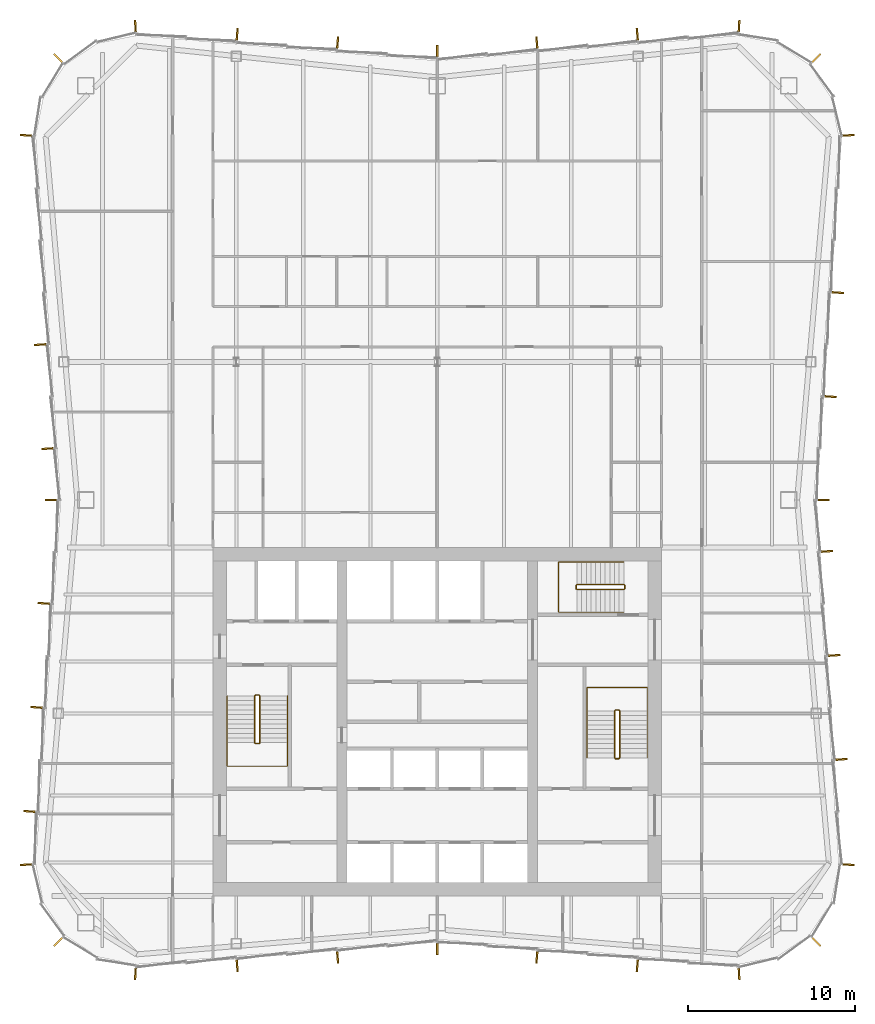
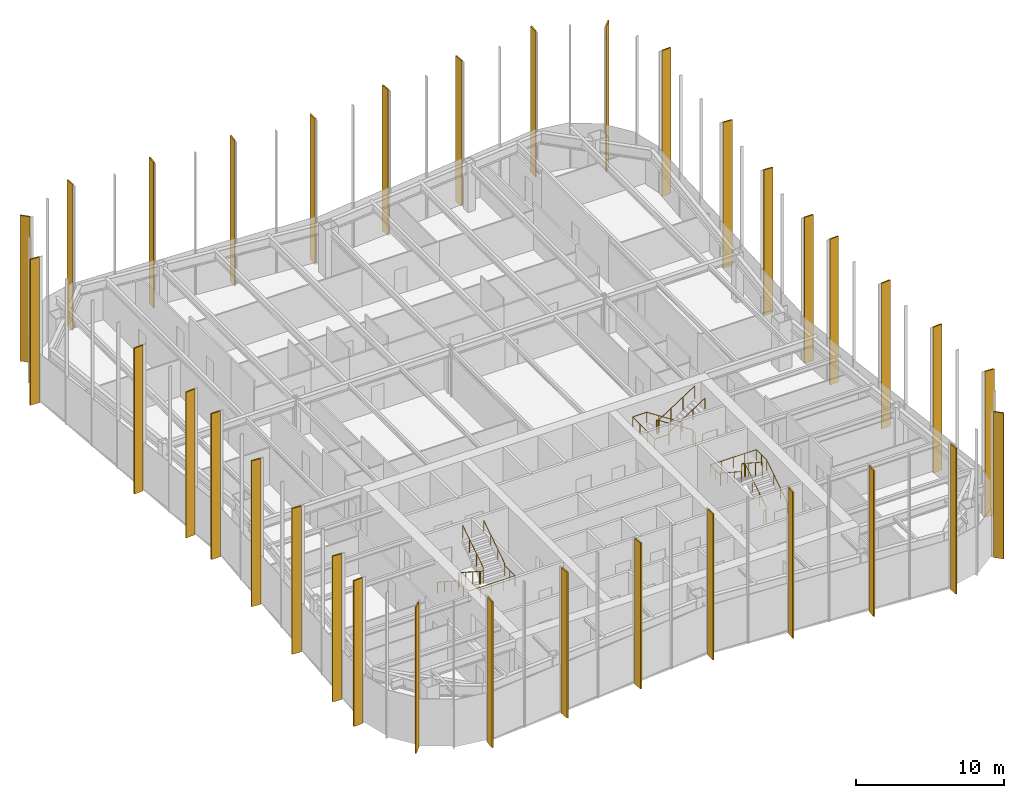
# One storey, part 15 of 15: 34 shading devices, 6 railings.
"""IFC4 building model written with IfcOpenShell, lengths in metres."""

from ifc_helpers import new_model, si_unit, direction, frame, origin, origin_2d, place, context, subcontext, project, spatial, rectangle, circle, extrude, material, layer, layer_set, type_object, element, save


model = new_model("IFC4")

# Units and contexts
model_context = context("Model", 3, precision=1e-05, world=origin(), true_north=direction((0.0, 1.0)))
body_context = subcontext(model_context, "Body", "Model", "MODEL_VIEW")
ifc_project = project(units=[si_unit("LENGTHUNIT", "METRE"), si_unit("AREAUNIT", "SQUARE_METRE"), si_unit("VOLUMEUNIT", "CUBIC_METRE"), si_unit("PLANEANGLEUNIT", "RADIAN"), si_unit("MASSUNIT", "GRAM", prefix="KILO")], contexts=[model_context])

# Site, building, storey
site_placement = place(None, origin())
site = spatial("IfcSite", under=ifc_project, at=site_placement, CompositionType="ELEMENT")
building_placement = place(site_placement, origin())
building = spatial("IfcBuilding", under=site, at=building_placement, Name="Verdant Reach Tower", CompositionType="ELEMENT")
storey_placement = place(building_placement, frame((0.0, 0.0, 238.0)))
storey = spatial("IfcBuildingStorey", under=building, at=storey_placement, Name="L54", CompositionType="ELEMENT", Elevation=238.0)

# Railings
ifc_material_1 = material(Name="Stainless steel", Category="steel")
railing_type_1 = type_object("IfcRailingType", Name="CO-GUARD", PredefinedType="GUARDRAIL", material=ifc_material_1)
railing_1_placement = place(storey_placement, frame((-10.64990234375, 29.60009765625, 0.0)))
element("IfcRailing", 1, at=railing_1_placement, inside=storey, type_object=railing_type_1, Name="L54 ST-1 stair guard 1", PredefinedType="GUARDRAIL", context=body_context, shape_type="SweptSolid", body=[
    extrude(circle(Radius=0.02392578125, at=origin_2d()), frame((0.0, 0.0, 1.076171875), z_axis=(-1.0, 0.0, 0.0), x_axis=(0.0, -1.0, 0.0)), (0.0, 0.0, 1.0), 0.2001953125),
    extrude(circle(Radius=0.02392578125, at=origin_2d()), frame((-0.2001953125, 0.0, 1.076171875), z_axis=(-0.25526617399, -0.256517478764, 0.932222056972), x_axis=(0.708833529934, -0.705375805398, 0.0)), (0.0, 0.0, 1.0), 0.195068359375),
    extrude(circle(Radius=0.02392578125, at=origin_2d()), frame((-0.25, -0.050048828125, 1.2578125), z_axis=(0.0, -0.838705829183, 0.544584733623), x_axis=(1.0, 0.0, 0.0)), (0.0, 0.0, 1.0), 3.338623046875),
    extrude(circle(Radius=0.02392578125, at=origin_2d()), frame((-0.25, -2.85009765625, 3.076171875), z_axis=(0.705375805398, -0.708833529934, 0.0), x_axis=(0.708833529934, 0.705375805398, 0.0)), (0.0, 0.0, 1.0), 0.070556640625),
    extrude(circle(Radius=0.02392578125, at=origin_2d()), frame((-0.2001953125, -2.900146484375, 3.076171875), z_axis=(1.0, 0.0, 0.0), x_axis=(0.0, 1.0, 0.0)), (0.0, 0.0, 1.0), 0.2001953125),
    extrude(circle(Radius=0.02392578125, at=origin_2d()), frame((0.0, -2.900146484375, 3.076171875), z_axis=(0.25526617399, 0.256517478764, 0.932222056972), x_axis=(-0.708833529934, 0.705375805398, 0.0)), (0.0, 0.0, 1.0), 0.195068359375),
    extrude(circle(Radius=0.02392578125, at=origin_2d()), frame((0.0498046875, -2.85009765625, 3.2578125), z_axis=(0.0, 0.838705829183, 0.544584733623), x_axis=(-1.0, 0.0, 0.0)), (0.0, 0.0, 1.0), 3.338623046875),
    extrude(circle(Radius=0.02099609375, at=origin_2d()), origin(), (0.0, 0.0, 1.0), 1.052001953125),
    extrude(circle(Radius=0.02099609375, at=origin_2d()), frame((-0.2001953125, 0.0, 0.0)), (0.0, 0.0, 1.0), 1.052001953125),
    extrude(circle(Radius=0.02099609375, at=origin_2d()), frame((-0.25, -0.050048828125, 0.181884765625)), (0.0, 0.0, 1.0), 1.052001953125),
    extrude(circle(Radius=0.02099609375, at=origin_2d()), frame((-0.25, -0.9833984375, 0.787841796875)), (0.0, 0.0, 1.0), 1.052001953125),
    extrude(circle(Radius=0.02099609375, at=origin_2d()), frame((-0.25, -1.916748046875, 1.39404296875)), (0.0, 0.0, 1.0), 1.052001953125),
    extrude(circle(Radius=0.02099609375, at=origin_2d()), frame((-0.25, -2.85009765625, 2.0)), (0.0, 0.0, 1.0), 1.052001953125),
    extrude(circle(Radius=0.02099609375, at=origin_2d()), frame((-0.2001953125, -2.900146484375, 2.0)), (0.0, 0.0, 1.0), 1.052001953125),
    extrude(circle(Radius=0.02099609375, at=origin_2d()), frame((0.0, -2.900146484375, 2.0)), (0.0, 0.0, 1.0), 1.052001953125),
    extrude(circle(Radius=0.02099609375, at=origin_2d()), frame((0.0498046875, -2.85009765625, 2.181884765625)), (0.0, 0.0, 1.0), 1.052001953125),
    extrude(circle(Radius=0.02099609375, at=origin_2d()), frame((0.0498046875, -1.916748046875, 2.787841796875)), (0.0, 0.0, 1.0), 1.052001953125),
    extrude(circle(Radius=0.02099609375, at=origin_2d()), frame((0.0498046875, -0.9833984375, 3.39404296875)), (0.0, 0.0, 1.0), 1.052001953125),
    extrude(circle(Radius=0.02099609375, at=origin_2d()), frame((0.0498046875, -0.050048828125, 4.0)), (0.0, 0.0, 1.0), 1.052001953125),
])
railing_2_placement = place(storey_placement, frame((10.64990234375, 25.800048828125, 0.0)))
element("IfcRailing", 2, at=railing_2_placement, inside=storey, type_object=railing_type_1, Name="L54 ST-2 stair guard 1", PredefinedType="GUARDRAIL", context=body_context, shape_type="SweptSolid", body=[
    extrude(circle(Radius=0.02392578125, at=origin_2d()), frame((0.0, 0.0, 1.076171875), z_axis=(1.0, 0.0, 0.0), x_axis=(0.0, 1.0, 0.0)), (0.0, 0.0, 1.0), 0.2001953125),
    extrude(circle(Radius=0.02392578125, at=origin_2d()), frame((0.2001953125, 0.0, 1.076171875), z_axis=(0.25526617399, 0.256517478764, 0.932222056972), x_axis=(-0.708833529934, 0.705375805398, 0.0)), (0.0, 0.0, 1.0), 0.195068359375),
    extrude(circle(Radius=0.02392578125, at=origin_2d()), frame((0.25, 0.050048828125, 1.2578125), z_axis=(0.0, 0.83868413941, 0.544618136222), x_axis=(-1.0, 0.0, 0.0)), (0.0, 0.0, 1.0), 3.33837890625),
    extrude(circle(Radius=0.02392578125, at=origin_2d()), frame((0.25, 2.849853515625, 3.076171875), z_axis=(-0.705375805398, 0.708833529934, 0.0), x_axis=(-0.708833529934, -0.705375805398, 0.0)), (0.0, 0.0, 1.0), 0.070556640625),
    extrude(circle(Radius=0.02392578125, at=origin_2d()), frame((0.2001953125, 2.89990234375, 3.076171875), z_axis=(-1.0, 0.0, 0.0), x_axis=(0.0, -1.0, 0.0)), (0.0, 0.0, 1.0), 0.2001953125),
    extrude(circle(Radius=0.02392578125, at=origin_2d()), frame((0.0, 2.89990234375, 3.076171875), z_axis=(-0.25526617399, -0.256517478764, 0.932222056972), x_axis=(0.708833529934, -0.705375805398, 0.0)), (0.0, 0.0, 1.0), 0.195068359375),
    extrude(circle(Radius=0.02392578125, at=origin_2d()), frame((-0.0498046875, 2.849853515625, 3.2578125), z_axis=(0.0, -0.83868413941, 0.544618136222), x_axis=(1.0, 0.0, 0.0)), (0.0, 0.0, 1.0), 3.33837890625),
    extrude(circle(Radius=0.02099609375, at=origin_2d()), origin(), (0.0, 0.0, 1.0), 1.052001953125),
    extrude(circle(Radius=0.02099609375, at=origin_2d()), frame((0.2001953125, 0.0, 0.0)), (0.0, 0.0, 1.0), 1.052001953125),
    extrude(circle(Radius=0.02099609375, at=origin_2d()), frame((0.25, 0.050048828125, 0.181884765625)), (0.0, 0.0, 1.0), 1.052001953125),
    extrude(circle(Radius=0.02099609375, at=origin_2d()), frame((0.25, 0.9833984375, 0.787841796875)), (0.0, 0.0, 1.0), 1.052001953125),
    extrude(circle(Radius=0.02099609375, at=origin_2d()), frame((0.25, 1.91650390625, 1.39404296875)), (0.0, 0.0, 1.0), 1.052001953125),
    extrude(circle(Radius=0.02099609375, at=origin_2d()), frame((0.25, 2.849853515625, 2.0)), (0.0, 0.0, 1.0), 1.052001953125),
    extrude(circle(Radius=0.02099609375, at=origin_2d()), frame((0.2001953125, 2.89990234375, 2.0)), (0.0, 0.0, 1.0), 1.052001953125),
    extrude(circle(Radius=0.02099609375, at=origin_2d()), frame((0.0, 2.89990234375, 2.0)), (0.0, 0.0, 1.0), 1.052001953125),
    extrude(circle(Radius=0.02099609375, at=origin_2d()), frame((-0.0498046875, 2.849853515625, 2.181884765625)), (0.0, 0.0, 1.0), 1.052001953125),
    extrude(circle(Radius=0.02099609375, at=origin_2d()), frame((-0.0498046875, 1.91650390625, 2.787841796875)), (0.0, 0.0, 1.0), 1.052001953125),
    extrude(circle(Radius=0.02099609375, at=origin_2d()), frame((-0.0498046875, 0.9833984375, 3.39404296875)), (0.0, 0.0, 1.0), 1.052001953125),
    extrude(circle(Radius=0.02099609375, at=origin_2d()), frame((-0.0498046875, 0.050048828125, 4.0)), (0.0, 0.0, 1.0), 1.052001953125),
])
railing_3_placement = place(storey_placement, frame((11.199951171875, 35.949951171875, 0.0)))
element("IfcRailing", 3, at=railing_3_placement, inside=storey, type_object=railing_type_1, Name="L54 ST-3 stair guard 1", PredefinedType="GUARDRAIL", context=body_context, shape_type="SweptSolid", body=[
    extrude(circle(Radius=0.02392578125, at=origin_2d()), frame((0.0, 0.0, 1.076171875), z_axis=(0.0, 1.0, 0.0), x_axis=(-1.0, 0.0, 0.0)), (0.0, 0.0, 1.0), 0.199951171875),
    extrude(circle(Radius=0.02392578125, at=origin_2d()), frame((0.0, 0.199951171875, 1.076171875), z_axis=(-0.256435381639, 0.256435381639, 0.931923704005), x_axis=(-0.707106781187, -0.707106781187, 0.0)), (0.0, 0.0, 1.0), 0.195068359375),
    extrude(circle(Radius=0.02392578125, at=origin_2d()), frame((-0.050048828125, 0.25, 1.2578125), z_axis=(-0.83868413941, 0.0, 0.544618136222), x_axis=(0.0, -1.0, 0.0)), (0.0, 0.0, 1.0), 3.33837890625),
    extrude(circle(Radius=0.02392578125, at=origin_2d()), frame((-2.849853515625, 0.25, 3.076171875), z_axis=(-0.707106781187, -0.707106781187, 0.0), x_axis=(0.707106781187, -0.707106781187, 0.0)), (0.0, 0.0, 1.0), 0.07080078125),
    extrude(circle(Radius=0.02392578125, at=origin_2d()), frame((-2.89990234375, 0.199951171875, 3.076171875), z_axis=(0.0, -1.0, 0.0), x_axis=(1.0, 0.0, 0.0)), (0.0, 0.0, 1.0), 0.199951171875),
    extrude(circle(Radius=0.02392578125, at=origin_2d()), frame((-2.89990234375, 0.0, 3.076171875), z_axis=(0.256435381639, -0.256435381639, 0.931923704005), x_axis=(0.707106781187, 0.707106781187, 0.0)), (0.0, 0.0, 1.0), 0.195068359375),
    extrude(circle(Radius=0.02392578125, at=origin_2d()), frame((-2.849853515625, -0.050048828125, 3.2578125), z_axis=(0.83868413941, 0.0, 0.544618136222), x_axis=(0.0, 1.0, 0.0)), (0.0, 0.0, 1.0), 3.33837890625),
    extrude(circle(Radius=0.02099609375, at=origin_2d()), origin(), (0.0, 0.0, 1.0), 1.052001953125),
    extrude(circle(Radius=0.02099609375, at=origin_2d()), frame((0.0, 0.199951171875, 0.0)), (0.0, 0.0, 1.0), 1.052001953125),
    extrude(circle(Radius=0.02099609375, at=origin_2d()), frame((-0.050048828125, 0.25, 0.181884765625)), (0.0, 0.0, 1.0), 1.052001953125),
    extrude(circle(Radius=0.02099609375, at=origin_2d()), frame((-0.9833984375, 0.25, 0.787841796875)), (0.0, 0.0, 1.0), 1.052001953125),
    extrude(circle(Radius=0.02099609375, at=origin_2d()), frame((-1.91650390625, 0.25, 1.39404296875)), (0.0, 0.0, 1.0), 1.052001953125),
    extrude(circle(Radius=0.02099609375, at=origin_2d()), frame((-2.849853515625, 0.25, 2.0)), (0.0, 0.0, 1.0), 1.052001953125),
    extrude(circle(Radius=0.02099609375, at=origin_2d()), frame((-2.89990234375, 0.199951171875, 2.0)), (0.0, 0.0, 1.0), 1.052001953125),
    extrude(circle(Radius=0.02099609375, at=origin_2d()), frame((-2.89990234375, 0.0, 2.0)), (0.0, 0.0, 1.0), 1.052001953125),
    extrude(circle(Radius=0.02099609375, at=origin_2d()), frame((-2.849853515625, -0.050048828125, 2.181884765625)), (0.0, 0.0, 1.0), 1.052001953125),
    extrude(circle(Radius=0.02099609375, at=origin_2d()), frame((-1.91650390625, -0.050048828125, 2.787841796875)), (0.0, 0.0, 1.0), 1.052001953125),
    extrude(circle(Radius=0.02099609375, at=origin_2d()), frame((-0.9833984375, -0.050048828125, 3.39404296875)), (0.0, 0.0, 1.0), 1.052001953125),
    extrude(circle(Radius=0.02099609375, at=origin_2d()), frame((-0.050048828125, -0.050048828125, 4.0)), (0.0, 0.0, 1.0), 1.052001953125),
])
railing_type_2 = type_object("IfcRailingType", Name="CO-HANDRAIL", PredefinedType="HANDRAIL", material=ifc_material_1)
railing_4_placement = place(storey_placement, frame((-12.550048828125, 29.550048828125, 0.181884765625)))
element("IfcRailing", 4, at=railing_4_placement, inside=storey, type_object=railing_type_2, Name="L54 ST-1 stair handrail 1", PredefinedType="HANDRAIL", context=body_context, shape_type="SweptSolid", body=[
    extrude(circle(Radius=0.02392578125, at=origin_2d()), frame((0.0, 0.0, 0.8759765625), z_axis=(0.0, -0.838705829183, 0.544584733623), x_axis=(1.0, 0.0, 0.0)), (0.0, 0.0, 1.0), 3.338623046875),
    extrude(circle(Radius=0.02392578125, at=origin_2d()), frame((0.0, -2.800048828125, 2.69384765625), z_axis=(0.0, -1.0, 0.0), x_axis=(1.0, 0.0, 0.0)), (0.0, 0.0, 1.0), 1.39990234375),
    extrude(circle(Radius=0.02392578125, at=origin_2d()), frame((0.0, -4.199951171875, 2.69384765625), z_axis=(1.0, 0.0, 0.0), x_axis=(0.0, 1.0, 0.0)), (0.0, 0.0, 1.0), 3.60009765625),
    extrude(circle(Radius=0.02392578125, at=origin_2d()), frame((3.60009765625, -4.199951171875, 2.69384765625), z_axis=(0.0, 1.0, 0.0), x_axis=(-1.0, 0.0, 0.0)), (0.0, 0.0, 1.0), 1.39990234375),
    extrude(circle(Radius=0.02392578125, at=origin_2d()), frame((3.60009765625, -2.800048828125, 2.69384765625), z_axis=(0.0, 0.0, 1.0), x_axis=(1.0, 0.0, 0.0)), (0.0, 0.0, 1.0), 0.181884765625),
    extrude(circle(Radius=0.02392578125, at=origin_2d()), frame((3.60009765625, -2.800048828125, 2.8759765625), z_axis=(0.0, 0.838705829183, 0.544584733623), x_axis=(-1.0, 0.0, 0.0)), (0.0, 0.0, 1.0), 3.338623046875),
    extrude(circle(Radius=0.02099609375, at=origin_2d()), origin(), (0.0, 0.0, 1.0), 0.851806640625),
    extrude(circle(Radius=0.02099609375, at=origin_2d()), frame((0.0, -0.933349609375, 0.60595703125)), (0.0, 0.0, 1.0), 0.851806640625),
    extrude(circle(Radius=0.02099609375, at=origin_2d()), frame((0.0, -1.86669921875, 1.212158203125)), (0.0, 0.0, 1.0), 0.851806640625),
    extrude(circle(Radius=0.02099609375, at=origin_2d()), frame((0.0, -2.800048828125, 1.818115234375)), (0.0, 0.0, 1.0), 0.851806640625),
    extrude(circle(Radius=0.02099609375, at=origin_2d()), frame((0.0, -3.5, 1.818115234375)), (0.0, 0.0, 1.0), 0.851806640625),
    extrude(circle(Radius=0.02099609375, at=origin_2d()), frame((0.0, -4.199951171875, 1.818115234375)), (0.0, 0.0, 1.0), 0.851806640625),
    extrude(circle(Radius=0.02099609375, at=origin_2d()), frame((0.89990234375, -4.199951171875, 1.818115234375)), (0.0, 0.0, 1.0), 0.851806640625),
    extrude(circle(Radius=0.02099609375, at=origin_2d()), frame((1.800048828125, -4.199951171875, 1.818115234375)), (0.0, 0.0, 1.0), 0.851806640625),
    extrude(circle(Radius=0.02099609375, at=origin_2d()), frame((2.7001953125, -4.199951171875, 1.818115234375)), (0.0, 0.0, 1.0), 0.851806640625),
    extrude(circle(Radius=0.02099609375, at=origin_2d()), frame((3.60009765625, -4.199951171875, 1.818115234375)), (0.0, 0.0, 1.0), 0.851806640625),
    extrude(circle(Radius=0.02099609375, at=origin_2d()), frame((3.60009765625, -3.5, 1.818115234375)), (0.0, 0.0, 1.0), 0.851806640625),
    extrude(circle(Radius=0.02099609375, at=origin_2d()), frame((3.60009765625, -2.800048828125, 1.818115234375)), (0.0, 0.0, 1.0), 0.851806640625),
    extrude(circle(Radius=0.02099609375, at=origin_2d()), frame((3.60009765625, -2.800048828125, 2.0)), (0.0, 0.0, 1.0), 0.851806640625),
    extrude(circle(Radius=0.02099609375, at=origin_2d()), frame((3.60009765625, -1.86669921875, 2.60595703125)), (0.0, 0.0, 1.0), 0.851806640625),
    extrude(circle(Radius=0.02099609375, at=origin_2d()), frame((3.60009765625, -0.933349609375, 3.212158203125)), (0.0, 0.0, 1.0), 0.851806640625),
    extrude(circle(Radius=0.02099609375, at=origin_2d()), frame((3.60009765625, 0.0, 3.818115234375)), (0.0, 0.0, 1.0), 0.851806640625),
])
railing_5_placement = place(storey_placement, frame((12.550048828125, 25.85009765625, 0.181884765625)))
element("IfcRailing", 5, at=railing_5_placement, inside=storey, type_object=railing_type_2, Name="L54 ST-2 stair handrail 1", PredefinedType="HANDRAIL", context=body_context, shape_type="SweptSolid", body=[
    extrude(circle(Radius=0.02392578125, at=origin_2d()), frame((0.0, 0.0, 0.8759765625), z_axis=(0.0, 0.83868413941, 0.544618136222), x_axis=(-1.0, 0.0, 0.0)), (0.0, 0.0, 1.0), 3.33837890625),
    extrude(circle(Radius=0.02392578125, at=origin_2d()), frame((0.0, 2.7998046875, 2.69384765625), z_axis=(0.0, 1.0, 0.0), x_axis=(-1.0, 0.0, 0.0)), (0.0, 0.0, 1.0), 1.400146484375),
    extrude(circle(Radius=0.02392578125, at=origin_2d()), frame((0.0, 4.199951171875, 2.69384765625), z_axis=(-1.0, 0.0, 0.0), x_axis=(0.0, -1.0, 0.0)), (0.0, 0.0, 1.0), 3.60009765625),
    extrude(circle(Radius=0.02392578125, at=origin_2d()), frame((-3.60009765625, 4.199951171875, 2.69384765625), z_axis=(0.0, -1.0, 0.0), x_axis=(1.0, 0.0, 0.0)), (0.0, 0.0, 1.0), 1.400146484375),
    extrude(circle(Radius=0.02392578125, at=origin_2d()), frame((-3.60009765625, 2.7998046875, 2.69384765625), z_axis=(0.0, 0.0, 1.0), x_axis=(1.0, 0.0, 0.0)), (0.0, 0.0, 1.0), 0.181884765625),
    extrude(circle(Radius=0.02392578125, at=origin_2d()), frame((-3.60009765625, 2.7998046875, 2.8759765625), z_axis=(0.0, -0.83868413941, 0.544618136222), x_axis=(1.0, 0.0, 0.0)), (0.0, 0.0, 1.0), 3.33837890625),
    extrude(circle(Radius=0.02099609375, at=origin_2d()), origin(), (0.0, 0.0, 1.0), 0.851806640625),
    extrude(circle(Radius=0.02099609375, at=origin_2d()), frame((0.0, 0.933349609375, 0.60595703125)), (0.0, 0.0, 1.0), 0.851806640625),
    extrude(circle(Radius=0.02099609375, at=origin_2d()), frame((0.0, 1.866455078125, 1.212158203125)), (0.0, 0.0, 1.0), 0.851806640625),
    extrude(circle(Radius=0.02099609375, at=origin_2d()), frame((0.0, 2.7998046875, 1.818115234375)), (0.0, 0.0, 1.0), 0.851806640625),
    extrude(circle(Radius=0.02099609375, at=origin_2d()), frame((0.0, 3.5, 1.818115234375)), (0.0, 0.0, 1.0), 0.851806640625),
    extrude(circle(Radius=0.02099609375, at=origin_2d()), frame((0.0, 4.199951171875, 1.818115234375)), (0.0, 0.0, 1.0), 0.851806640625),
    extrude(circle(Radius=0.02099609375, at=origin_2d()), frame((-0.89990234375, 4.199951171875, 1.818115234375)), (0.0, 0.0, 1.0), 0.851806640625),
    extrude(circle(Radius=0.02099609375, at=origin_2d()), frame((-1.800048828125, 4.199951171875, 1.818115234375)), (0.0, 0.0, 1.0), 0.851806640625),
    extrude(circle(Radius=0.02099609375, at=origin_2d()), frame((-2.7001953125, 4.199951171875, 1.818115234375)), (0.0, 0.0, 1.0), 0.851806640625),
    extrude(circle(Radius=0.02099609375, at=origin_2d()), frame((-3.60009765625, 4.199951171875, 1.818115234375)), (0.0, 0.0, 1.0), 0.851806640625),
    extrude(circle(Radius=0.02099609375, at=origin_2d()), frame((-3.60009765625, 3.5, 1.818115234375)), (0.0, 0.0, 1.0), 0.851806640625),
    extrude(circle(Radius=0.02099609375, at=origin_2d()), frame((-3.60009765625, 2.7998046875, 1.818115234375)), (0.0, 0.0, 1.0), 0.851806640625),
    extrude(circle(Radius=0.02099609375, at=origin_2d()), frame((-3.60009765625, 2.7998046875, 2.0)), (0.0, 0.0, 1.0), 0.851806640625),
    extrude(circle(Radius=0.02099609375, at=origin_2d()), frame((-3.60009765625, 1.866455078125, 2.60595703125)), (0.0, 0.0, 1.0), 0.851806640625),
    extrude(circle(Radius=0.02099609375, at=origin_2d()), frame((-3.60009765625, 0.933349609375, 3.212158203125)), (0.0, 0.0, 1.0), 0.851806640625),
    extrude(circle(Radius=0.02099609375, at=origin_2d()), frame((-3.60009765625, 0.0, 3.818115234375)), (0.0, 0.0, 1.0), 0.851806640625),
])
railing_6_placement = place(storey_placement, frame((11.14990234375, 37.550048828125, 0.181884765625)))
element("IfcRailing", 6, at=railing_6_placement, inside=storey, type_object=railing_type_2, Name="L54 ST-3 stair handrail 1", PredefinedType="HANDRAIL", context=body_context, shape_type="SweptSolid", body=[
    extrude(circle(Radius=0.02392578125, at=origin_2d()), frame((0.0, 0.0, 0.8759765625), z_axis=(-0.83868413941, 0.0, 0.544618136222), x_axis=(0.0, -1.0, 0.0)), (0.0, 0.0, 1.0), 3.33837890625),
    extrude(circle(Radius=0.02392578125, at=origin_2d()), frame((-2.7998046875, 0.0, 2.69384765625), z_axis=(-1.0, 0.0, 0.0), x_axis=(0.0, -1.0, 0.0)), (0.0, 0.0, 1.0), 1.10009765625),
    extrude(circle(Radius=0.02392578125, at=origin_2d()), frame((-3.89990234375, 0.0, 2.69384765625), z_axis=(0.0, -1.0, 0.0), x_axis=(1.0, 0.0, 0.0)), (0.0, 0.0, 1.0), 3.0),
    extrude(circle(Radius=0.02392578125, at=origin_2d()), frame((-3.89990234375, -3.0, 2.69384765625), z_axis=(1.0, 0.0, 0.0), x_axis=(0.0, 1.0, 0.0)), (0.0, 0.0, 1.0), 1.10009765625),
    extrude(circle(Radius=0.02392578125, at=origin_2d()), frame((-2.7998046875, -3.0, 2.69384765625), z_axis=(0.0, 0.0, 1.0), x_axis=(1.0, 0.0, 0.0)), (0.0, 0.0, 1.0), 0.181884765625),
    extrude(circle(Radius=0.02392578125, at=origin_2d()), frame((-2.7998046875, -3.0, 2.8759765625), z_axis=(0.83868413941, 0.0, 0.544618136222), x_axis=(0.0, 1.0, 0.0)), (0.0, 0.0, 1.0), 3.33837890625),
    extrude(circle(Radius=0.02099609375, at=origin_2d()), origin(), (0.0, 0.0, 1.0), 0.851806640625),
    extrude(circle(Radius=0.02099609375, at=origin_2d()), frame((-0.933349609375, 0.0, 0.60595703125)), (0.0, 0.0, 1.0), 0.851806640625),
    extrude(circle(Radius=0.02099609375, at=origin_2d()), frame((-1.866455078125, 0.0, 1.212158203125)), (0.0, 0.0, 1.0), 0.851806640625),
    extrude(circle(Radius=0.02099609375, at=origin_2d()), frame((-2.7998046875, 0.0, 1.818115234375)), (0.0, 0.0, 1.0), 0.851806640625),
    extrude(circle(Radius=0.02099609375, at=origin_2d()), frame((-3.89990234375, 0.0, 1.818115234375)), (0.0, 0.0, 1.0), 0.851806640625),
    extrude(circle(Radius=0.02099609375, at=origin_2d()), frame((-3.89990234375, -1.0, 1.818115234375)), (0.0, 0.0, 1.0), 0.851806640625),
    extrude(circle(Radius=0.02099609375, at=origin_2d()), frame((-3.89990234375, -2.0, 1.818115234375)), (0.0, 0.0, 1.0), 0.851806640625),
    extrude(circle(Radius=0.02099609375, at=origin_2d()), frame((-3.89990234375, -3.0, 1.818115234375)), (0.0, 0.0, 1.0), 0.851806640625),
    extrude(circle(Radius=0.02099609375, at=origin_2d()), frame((-2.7998046875, -3.0, 1.818115234375)), (0.0, 0.0, 1.0), 0.851806640625),
    extrude(circle(Radius=0.02099609375, at=origin_2d()), frame((-2.7998046875, -3.0, 2.0)), (0.0, 0.0, 1.0), 0.851806640625),
    extrude(circle(Radius=0.02099609375, at=origin_2d()), frame((-1.866455078125, -3.0, 2.60595703125)), (0.0, 0.0, 1.0), 0.851806640625),
    extrude(circle(Radius=0.02099609375, at=origin_2d()), frame((-0.933349609375, -3.0, 3.212158203125)), (0.0, 0.0, 1.0), 0.851806640625),
    extrude(circle(Radius=0.02099609375, at=origin_2d()), frame((0.0, -3.0, 3.818115234375)), (0.0, 0.0, 1.0), 0.851806640625),
])

# Shading devices
ifc_material_2 = material(Name="Bronze fin, champagne", Category="aluminium")
ifc_layer_1 = layer(ifc_material_2, 0.10009765625)
ifc_layer_set_1 = layer_set([ifc_layer_1], Name="EN-FIN CHAMPAGNE")
shading_device_type_1 = type_object("IfcShadingDeviceType", Name="EN-FIN CHAMPAGNE", PredefinedType="USERDEFINED", material=ifc_layer_set_1)
for number, where, z_axis, x_axis, name in (
    (7, (23.715576171875, 31.968017578125, -0.35009765625), (0.0, 0.0, 1.0), (-0.068802091615, 0.997630328423, 0.0), "Fin east face part 1 5, L54"),
    (8, (23.9296875, 53.63916015625, -0.35009765625), (0.0, 0.0, 1.0), (0.068802091615, 0.997630328423, 0.0), "Fin east face part 2 5, L54"),
    (9, (11.952392578125, 69.072021484375, -0.35009765625), (0.0, 0.0, 1.0), (-0.996545758244, -0.083045479859, 0.0), "Fin north face part 1 3, L54"),
    (10, (-5.952392578125, 68.572021484375, -0.35009765625), (0.0, 0.0, 1.0), (-0.996545758244, 0.083045479859, 0.0), "Fin north face part 2 3, L54"),
    (11, (-11.952392578125, 69.072021484375, -0.35009765625), (0.0, 0.0, 1.0), (-0.996545758244, 0.083045479859, 0.0), "Fin north face part 2 5, L54"),
    (12, (-22.6484375, 67.6484375, -0.35009765625), (0.0, 0.0, 1.0), (-0.707106781187, -0.707106781187, 0.0), "Fin north-west corner 3, L54"),
    (13, (-24.57275390625, 63.03662109375, -0.35009765625), (0.0, 0.0, 1.0), (-0.063698618332, -0.997969180898, 0.0), "Fin west face part 1 1, L54"),
    (14, (-23.501220703125, 35.0751953125, -0.35009765625), (0.0, 0.0, 1.0), (-0.068802091615, -0.997630328423, 0.0), "Fin west face part 2 3, L54"),
    (15, (-24.57275390625, 19.46337890625, -0.35009765625), (0.0, 0.0, 1.0), (0.063698618332, -0.997969180898, 0.0), "Fin south-west corner 1, L54"),
    (16, (-5.952392578125, 13.927978515625, -0.35009765625), (0.0, 0.0, 1.0), (0.996545758244, 0.083045479859, 0.0), "Fin south face part 1 5, L54"),
    (17, (0.0, 14.426025390625, -0.35009765625), (0.0, 0.0, 1.0), (1.0, 0.0, 0.0), "Fin south face part 2 1, L54"),
):
    element("IfcShadingDevice", number, at=place(storey_placement, frame(where, z_axis=z_axis, x_axis=x_axis)), inside=storey, type_object=shading_device_type_1, Name=name, ObjectType="FIN", PredefinedType="USERDEFINED", context=body_context, shape_type="SweptSolid", body=[
        extrude(rectangle(XDim=0.10009765625, YDim=0.699951171875, at=origin_2d()), origin(), (0.0, 0.0, 1.0), 12.0),
    ])
ifc_material_3 = material(Name="Bronze fin, copper", Category="aluminium")
ifc_layer_2 = layer(ifc_material_3, 0.10009765625)
ifc_layer_set_2 = layer_set([ifc_layer_2], Name="EN-FIN COPPER")
shading_device_type_2 = type_object("IfcShadingDeviceType", Name="EN-FIN COPPER", PredefinedType="USERDEFINED", material=ifc_layer_set_2)
for number, where, z_axis, x_axis, name in (
    (18, (18.032470703125, 12.927001953125, -0.35009765625), (0.0, 0.0, 1.0), (0.998398681387, 0.056569187765, 0.0), "Fin south-east corner 1, L54"),
    (19, (23.286865234375, 38.182373046875, -0.35009765625), (0.0, 0.0, 1.0), (-0.068802091615, 0.997630328423, 0.0), "Fin east face part 1 7, L54"),
    (20, (23.073974609375, 41.25, -0.35009765625), (0.0, 0.0, 1.0), (0.0, 1.0, 0.0), "Fin east face part 2 1, L54"),
    (21, (5.952392578125, 68.572021484375, -0.35009765625), (0.0, 0.0, 1.0), (-0.996545758244, -0.083045479859, 0.0), "Fin north face part 1 5, L54"),
    (22, (-23.9296875, 28.86083984375, -0.35009765625), (0.0, 0.0, 1.0), (-0.068802091615, -0.997630328423, 0.0), "Fin west face part 2 5, L54"),
    (23, (-22.6484375, 14.8515625, -0.35009765625), (0.0, 0.0, 1.0), (0.707106781187, -0.707106781187, 0.0), "Fin south-west corner 3, L54"),
    (24, (-18.032470703125, 12.927001953125, -0.35009765625), (0.0, 0.0, 1.0), (0.998398681387, -0.056569187765, 0.0), "Fin south face part 1 1, L54"),
    (25, (5.952392578125, 13.927978515625, -0.35009765625), (0.0, 0.0, 1.0), (0.996545758244, -0.083045479859, 0.0), "Fin south face part 2 3, L54"),
):
    element("IfcShadingDevice", number, at=place(storey_placement, frame(where, z_axis=z_axis, x_axis=x_axis)), inside=storey, type_object=shading_device_type_2, Name=name, ObjectType="FIN", PredefinedType="USERDEFINED", context=body_context, shape_type="SweptSolid", body=[
        extrude(rectangle(XDim=0.10009765625, YDim=0.699951171875, at=origin_2d()), origin(), (0.0, 0.0, 1.0), 12.0),
    ])
ifc_material_4 = material(Name="Bronze fin, dark bronze", Category="aluminium")
ifc_layer_3 = layer(ifc_material_4, 0.10009765625)
ifc_layer_set_3 = layer_set([ifc_layer_3], Name="EN-FIN DARK")
shading_device_type_3 = type_object("IfcShadingDeviceType", Name="EN-FIN DARK", PredefinedType="USERDEFINED", material=ifc_layer_set_3)
for number, where, z_axis, x_axis, name in (
    (26, (22.6484375, 14.8515625, -0.35009765625), (0.0, 0.0, 1.0), (0.707106781187, 0.707106781187, 0.0), "Fin south-east corner 3, L54"),
    (27, (24.57275390625, 19.46337890625, -0.35009765625), (0.0, 0.0, 1.0), (0.063698618332, 0.997969180898, 0.0), "Fin east face part 1 1, L54"),
    (28, (24.14404296875, 25.753662109375, -0.35009765625), (0.0, 0.0, 1.0), (-0.068802091615, 0.997630328423, 0.0), "Fin east face part 1 3, L54"),
    (29, (23.501220703125, 47.4248046875, -0.35009765625), (0.0, 0.0, 1.0), (0.068802091615, 0.997630328423, 0.0), "Fin east face part 2 3, L54"),
    (30, (24.57275390625, 63.03662109375, -0.35009765625), (0.0, 0.0, 1.0), (-0.063698618332, 0.997969180898, 0.0), "Fin north-east corner 1, L54"),
    (31, (22.6484375, 67.6484375, -0.35009765625), (0.0, 0.0, 1.0), (-0.707106781187, 0.707106781187, 0.0), "Fin north-east corner 3, L54"),
    (32, (18.032470703125, 69.572998046875, -0.35009765625), (0.0, 0.0, 1.0), (-0.998398681387, 0.056569187765, 0.0), "Fin north face part 1 1, L54"),
    (33, (0.0, 68.073974609375, -0.35009765625), (0.0, 0.0, 1.0), (-1.0, 0.0, 0.0), "Fin north face part 2 1, L54"),
    (34, (-18.032470703125, 69.572998046875, -0.35009765625), (0.0, 0.0, 1.0), (-0.998398681387, -0.056569187765, 0.0), "Fin north-west corner 1, L54"),
    (35, (-23.715576171875, 50.531982421875, -0.35009765625), (0.0, 0.0, 1.0), (0.068802091615, -0.997630328423, 0.0), "Fin west face part 1 5, L54"),
    (36, (-23.286865234375, 44.317626953125, -0.35009765625), (0.0, 0.0, 1.0), (0.068802091615, -0.997630328423, 0.0), "Fin west face part 1 7, L54"),
    (37, (-23.073974609375, 41.25, -0.35009765625), (0.0, 0.0, 1.0), (0.0, -1.0, 0.0), "Fin west face part 2 1, L54"),
    (38, (-24.3583984375, 22.646728515625, -0.35009765625), (0.0, 0.0, 1.0), (-0.068802091615, -0.997630328423, 0.0), "Fin west face part 2 7, L54"),
    (39, (-11.952392578125, 13.427978515625, -0.35009765625), (0.0, 0.0, 1.0), (0.996545758244, 0.083045479859, 0.0), "Fin south face part 1 3, L54"),
    (40, (11.952392578125, 13.427978515625, -0.35009765625), (0.0, 0.0, 1.0), (0.996545758244, -0.083045479859, 0.0), "Fin south face part 2 5, L54"),
):
    element("IfcShadingDevice", number, at=place(storey_placement, frame(where, z_axis=z_axis, x_axis=x_axis)), inside=storey, type_object=shading_device_type_3, Name=name, ObjectType="FIN", PredefinedType="USERDEFINED", context=body_context, shape_type="SweptSolid", body=[
        extrude(rectangle(XDim=0.10009765625, YDim=0.699951171875, at=origin_2d()), origin(), (0.0, 0.0, 1.0), 12.0),
    ])

save(model, "model.ifc")
